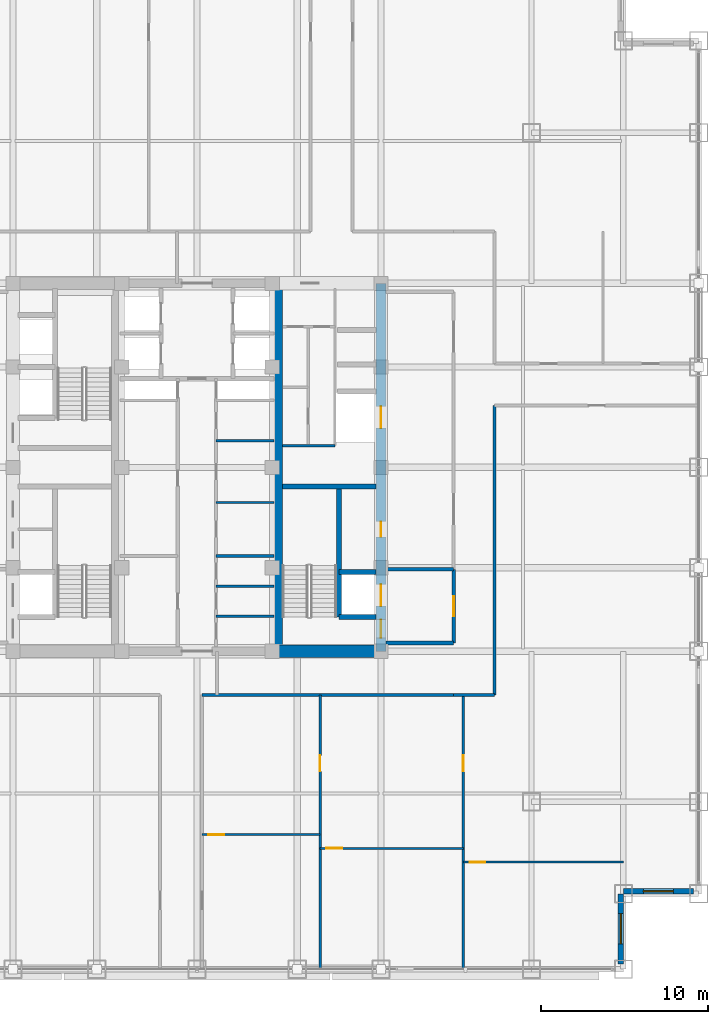
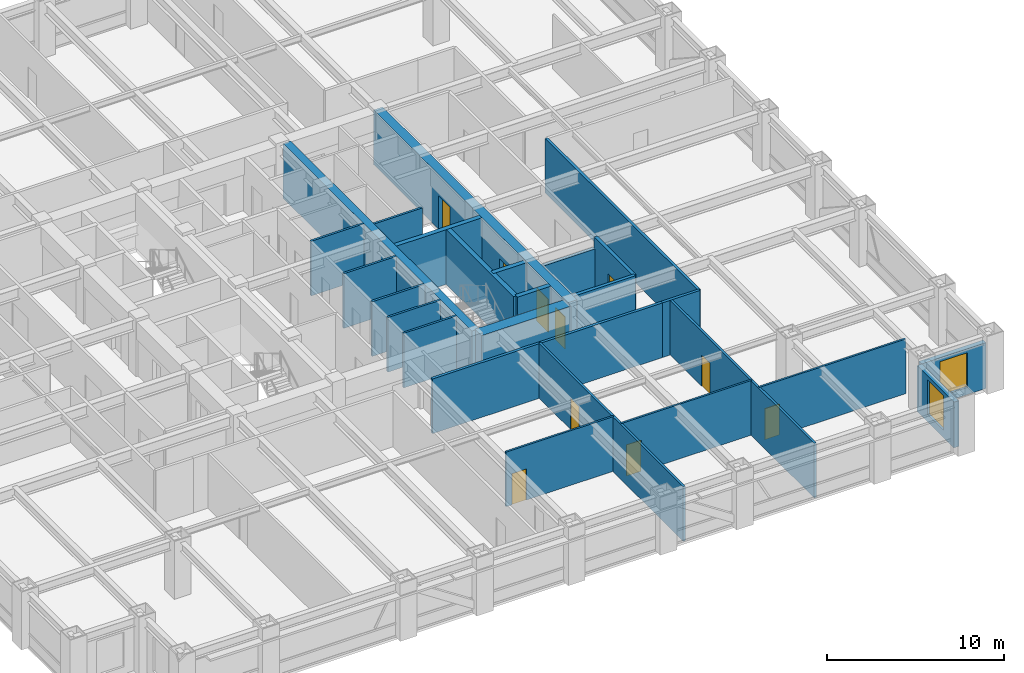
# One storey, part 21 of 28: 26 walls, 10 doors, 2 windows, 12 openings.
"""IFC4 building model written with IfcOpenShell, lengths in metres."""

from ifc_helpers import new_model, si_unit, direction, frame, frame_2d, origin, place, context, subcontext, project, spatial, rectangle, extrude, source, transform, mapped, material, layer, layer_set, type_object, element, fill, save


model = new_model("IFC4")

# Units and contexts
model_context = context("Model", 3, precision=1e-05, world=origin(), true_north=direction((0.0, 1.0)))
body_context = subcontext(model_context, "Body", "Model", "MODEL_VIEW")
ifc_project = project(units=[si_unit("LENGTHUNIT", "METRE"), si_unit("AREAUNIT", "SQUARE_METRE"), si_unit("VOLUMEUNIT", "CUBIC_METRE"), si_unit("PLANEANGLEUNIT", "RADIAN"), si_unit("MASSUNIT", "GRAM", prefix="KILO")], contexts=[model_context])

# Site, building, storey
site_placement = place(None, origin())
site = spatial("IfcSite", under=ifc_project, at=site_placement, CompositionType="ELEMENT")
building_placement = place(site_placement, origin())
building = spatial("IfcBuilding", under=site, at=building_placement, Name="Khorayat Bourse Tower", CompositionType="ELEMENT")
storey_placement = place(building_placement, frame((0.0, 0.0, 187.10009765625)))
storey = spatial("IfcBuildingStorey", under=building, at=storey_placement, Name="L43", CompositionType="ELEMENT", Elevation=187.10009765625)

# Wall, openings, doors
ifc_material_1 = material(Name="Concrete C60/75", Category="concrete")
ifc_layer_1 = layer(ifc_material_1, 0.60009765625)
ifc_layer_set_1 = layer_set([ifc_layer_1], Name="Concrete C60/75")
wall_type_1 = type_object("IfcWallType", Name="WAL-CORE-600", PredefinedType="SHEAR", material=ifc_layer_set_1)
shared_shape_1 = source(origin(), body_context, "Body", "SweptSolid", [
    extrude(rectangle(XDim=22.0, YDim=0.60009765625, at=frame_2d((11.0, 0.0))), origin(), (0.0, 0.0, 1.0), 3.77978515625),
])
wall_1_placement = place(storey_placement, frame((11.0, -11.0, 0.0), z_axis=(0.0, 0.0, 1.0), x_axis=(0.0, 1.0, 0.0)))
wall_1 = element("IfcWall", 1, at=wall_1_placement, inside=storey, type_object=wall_type_1, Name="L43 Core Shear Wall CORE-E", PredefinedType="SHEAR", context=body_context, shape_type="MappedRepresentation", body=[
    mapped(shared_shape_1, transform((0.0, 0.0, 0.0), scale=1.0)),
])
shared_shape_2 = source(origin(), body_context, "Body", "SweptSolid", [
    extrude(rectangle(XDim=1.10009765625, YDim=2.199951171875, at=frame_2d((0.550048828125, 1.10009765625))), frame((0.0, 0.31005859375, 0.0), z_axis=(0.0, -1.0, 0.0), x_axis=(1.0, 0.0, 0.0)), (0.0, 0.0, 1.0), 0.6201171875),
])
opening_1_placement = place(wall_1_placement, frame((0.800048828125, 0.0, 0.0)))
opening_1 = element("IfcOpeningElement", 2, at=opening_1_placement, cuts=wall_1, Name="Opening DI-01", PredefinedType="OPENING", context=body_context, shape_type="MappedRepresentation", body=[
    mapped(shared_shape_2, transform((0.0, 0.0, 0.0), scale=1.0)),
])
shared_shape_3 = source(origin(), body_context, "Body", "SweptSolid", [
    extrude(rectangle(XDim=0.89990234375, YDim=2.14990234375, at=frame_2d((0.449951171875, 1.074951171875))), frame((0.0, 0.31005859375, 0.0), z_axis=(0.0, -1.0, 0.0), x_axis=(1.0, 0.0, 0.0)), (0.0, 0.0, 1.0), 0.6201171875),
])
opening_2_placement = place(wall_1_placement, frame((6.85009765625, 0.0, 0.0)))
opening_2 = element("IfcOpeningElement", 3, at=opening_2_placement, cuts=wall_1, Name="Opening DI-06", PredefinedType="OPENING", context=body_context, shape_type="MappedRepresentation", body=[
    mapped(shared_shape_3, transform((0.0, 0.0, 0.0), scale=1.0)),
])
shared_shape_4 = source(origin(), body_context, "Body", "SweptSolid", [
    extrude(rectangle(XDim=1.300048828125, YDim=2.300048828125, at=frame_2d((0.64990234375, 1.14990234375))), frame((0.0, 0.31005859375, 0.0), z_axis=(0.0, -1.0, 0.0), x_axis=(1.0, 0.0, 0.0)), (0.0, 0.0, 1.0), 0.6201171875),
])
opening_3_placement = place(wall_1_placement, frame((2.699951171875, 0.0, 0.0)))
opening_3 = element("IfcOpeningElement", 4, at=opening_3_placement, cuts=wall_1, Name="Opening LD-02", PredefinedType="OPENING", context=body_context, shape_type="MappedRepresentation", body=[
    mapped(shared_shape_4, transform((0.0, 0.0, 0.0), scale=1.0)),
])
opening_4_placement = place(wall_1_placement, frame((13.35009765625, 0.0, 0.0)))
opening_4 = element("IfcOpeningElement", 5, at=opening_4_placement, cuts=wall_1, Name="Opening LD-02", PredefinedType="OPENING", context=body_context, shape_type="MappedRepresentation", body=[
    mapped(shared_shape_4, transform((0.0, 0.0, 0.0), scale=1.0)),
])
ifc_material_2 = material(Name="Fire-rated steel acoustic leaf", Category="steel")
door_type_1 = type_object("IfcDoorType", Name="DR-INT-STAIR-1100", OperationType="NOTDEFINED", PredefinedType="DOOR", material=ifc_material_2)
shared_shape_5 = source(origin(), body_context, "Body", "SweptSolid", [
    extrude(rectangle(XDim=1.10009765625, YDim=2.199951171875, at=frame_2d((0.550048828125, 1.10009765625))), frame((0.0, 0.02490234375, 0.0), z_axis=(0.0, -1.0, 0.0), x_axis=(1.0, 0.0, 0.0)), (0.0, 0.0, 1.0), 0.050048828125),
])
door_1_placement = place(opening_1_placement, origin())
door_1 = element("IfcDoor", 6, at=door_1_placement, inside=storey, type_object=door_type_1, Name="L43 Exit Stair 3 Door", OperationType="SINGLE_SWING_LEFT", OverallHeight=2.199951171875, OverallWidth=1.10009765625, PredefinedType="DOOR", context=body_context, shape_type="MappedRepresentation", body=[
    mapped(shared_shape_5, transform((0.0, 0.0, 0.0), scale=1.0)),
])
fill(opening_1, door_1)
ifc_material_3 = material(Name="Moisture-resistant laminate washroom door")
door_type_2 = type_object("IfcDoorType", Name="DR-INT-WC-900", OperationType="NOTDEFINED", PredefinedType="DOOR", material=ifc_material_3)
shared_shape_6 = source(origin(), body_context, "Body", "SweptSolid", [
    extrude(rectangle(XDim=0.89990234375, YDim=2.14990234375, at=frame_2d((0.449951171875, 1.074951171875))), frame((0.0, 0.02490234375, 0.0), z_axis=(0.0, -1.0, 0.0), x_axis=(1.0, 0.0, 0.0)), (0.0, 0.0, 1.0), 0.050048828125),
])
door_2_placement = place(opening_2_placement, origin())
door_2 = element("IfcDoor", 7, at=door_2_placement, inside=storey, type_object=door_type_2, Name="L43 Telecom Server Plant Room Door", OperationType="SINGLE_SWING_LEFT", OverallHeight=2.14990234375, OverallWidth=0.89990234375, PredefinedType="DOOR", context=body_context, shape_type="MappedRepresentation", body=[
    mapped(shared_shape_6, transform((0.0, 0.0, 0.0), scale=1.0)),
])
fill(opening_2, door_2)
ifc_material_4 = material(Name="Fire-rated stainless-steel sliding landing door", Category="steel")
door_type_3 = type_object("IfcDoorType", Name="DR-LIFT-FF-1300", OperationType="NOTDEFINED", PredefinedType="DOOR", material=ifc_material_4)
shared_shape_7 = source(origin(), body_context, "Body", "SweptSolid", [
    extrude(rectangle(XDim=1.300048828125, YDim=2.300048828125, at=frame_2d((0.64990234375, 1.14990234375))), frame((0.0, 0.02490234375, 0.0), z_axis=(0.0, -1.0, 0.0), x_axis=(1.0, 0.0, 0.0)), (0.0, 0.0, 1.0), 0.050048828125),
])
door_3_placement = place(opening_3_placement, origin())
door_3 = element("IfcDoor", 8, at=door_3_placement, inside=storey, type_object=door_type_3, Name="L43 Lift FFL-02 Sliding Landing Door", OperationType="SLIDING_TO_LEFT", OverallHeight=2.300048828125, OverallWidth=1.300048828125, PredefinedType="DOOR", context=body_context, shape_type="MappedRepresentation", body=[
    mapped(shared_shape_7, transform((0.0, 0.0, 0.0), scale=1.0)),
])
fill(opening_3, door_3)
door_4_placement = place(opening_4_placement, origin())
door_4 = element("IfcDoor", 9, at=door_4_placement, inside=storey, type_object=door_type_3, Name="L43 Lift SVL-01 Sliding Landing Door", OperationType="SLIDING_TO_LEFT", OverallHeight=2.300048828125, OverallWidth=1.300048828125, PredefinedType="DOOR", context=body_context, shape_type="MappedRepresentation", body=[
    mapped(shared_shape_7, transform((0.0, 0.0, 0.0), scale=1.0)),
])
fill(opening_4, door_4)

# Walls
ifc_material_5 = material(Name="Concrete C52/65", Category="concrete")
ifc_layer_2 = layer(ifc_material_5, 0.5)
ifc_layer_set_2 = layer_set([ifc_layer_2], Name="Concrete C52/65")
wall_type_2 = type_object("IfcWallType", Name="WAL-CORE-500", PredefinedType="SHEAR", material=ifc_layer_set_2)
shared_shape_8 = source(origin(), body_context, "Body", "SweptSolid", [
    extrude(rectangle(XDim=21.39990234375, YDim=0.5, at=frame_2d((10.699951171875, 0.0))), origin(), (0.0, 0.0, 1.0), 3.77978515625),
])
wall_2_placement = place(storey_placement, frame((4.85009765625, -10.699951171875, 0.0), z_axis=(0.0, 0.0, 1.0), x_axis=(0.0, 1.0, 0.0)))
element("IfcWall", 10, at=wall_2_placement, inside=storey, type_object=wall_type_2, Name="L43 Core Shear Wall PIER-E", PredefinedType="SHEAR", context=body_context, shape_type="MappedRepresentation", body=[
    mapped(shared_shape_8, transform((0.0, 0.0, 0.0), scale=1.0)),
])
ifc_material_6 = material(Name="Concrete C72/90", Category="concrete")
ifc_layer_3 = layer(ifc_material_6, 0.75)
ifc_layer_set_3 = layer_set([ifc_layer_3], Name="Concrete C72/90")
wall_type_3 = type_object("IfcWallType", Name="WAL-CORE-750", PredefinedType="SHEAR", material=ifc_layer_set_3)
shared_shape_9 = source(origin(), body_context, "Body", "SweptSolid", [
    extrude(rectangle(XDim=5.849853515625, YDim=0.75, at=frame_2d((2.9248046875, 0.0))), origin(), (0.0, 0.0, 1.0), 3.77978515625),
])
wall_3_placement = place(storey_placement, frame((4.85009765625, -11.0, 0.0), z_axis=(0.0, 0.0, 1.0), x_axis=(1.0, 0.0, 0.0)))
element("IfcWall", 11, at=wall_3_placement, inside=storey, type_object=wall_type_3, Name="L43 Core Shear Wall PIER-ES", PredefinedType="SHEAR", context=body_context, shape_type="MappedRepresentation", body=[
    mapped(shared_shape_9, transform((0.0, 0.0, 0.0), scale=1.0)),
])
ifc_material_7 = material(Name="Concrete C50/60", Category="concrete")
ifc_layer_4 = layer(ifc_material_7, 0.300048828125)
ifc_layer_set_4 = layer_set([ifc_layer_4], Name="Concrete C50/60")
wall_type_4 = type_object("IfcWallType", Name="WAL-SHAFT-300", PredefinedType="SHEAR", material=ifc_layer_set_4)
shared_shape_10 = source(origin(), body_context, "Body", "SweptSolid", [
    extrude(rectangle(XDim=5.599853515625, YDim=0.300048828125, at=frame_2d((2.7998046875, 0.0))), origin(), (0.0, 0.0, 1.0), 3.77978515625),
])
wall_4_placement = place(storey_placement, frame((5.10009765625, -1.14990234375, 0.0), z_axis=(0.0, 0.0, 1.0), x_axis=(1.0, 0.0, 0.0)))
element("IfcWall", 12, at=wall_4_placement, inside=storey, type_object=wall_type_4, Name="L43 Core Shear Wall ST3-DIV", PredefinedType="SHEAR", context=body_context, shape_type="MappedRepresentation", body=[
    mapped(shared_shape_10, transform((0.0, 0.0, 0.0), scale=1.0)),
])

# Wall, opening, window
ifc_material_8 = material(Name="Precast concrete C45/55", Category="concrete")
ifc_layer_5 = layer(ifc_material_8, 0.320068359375)
ifc_layer_set_5 = layer_set([ifc_layer_5], Name="Precast concrete C45/55")
wall_type_5 = type_object("IfcWallType", Name="WAL-EXT-STONE-320", PredefinedType="STANDARD", material=ifc_layer_set_5)
shared_shape_11 = source(origin(), body_context, "Body", "SweptSolid", [
    extrude(rectangle(XDim=4.179931640625, YDim=0.320068359375, at=frame_2d((2.08984375, 0.0))), origin(), (0.0, 0.0, 1.0), 3.163818359375),
])
wall_5_placement = place(storey_placement, frame((25.340087890625, -29.679931640625, 0.0), z_axis=(0.0, 0.0, 1.0), x_axis=(0.0, 1.0, 0.0)))
wall_5 = element("IfcWall", 13, at=wall_5_placement, inside=storey, type_object=wall_type_5, Name="L43 Re-Entrant Notch Limestone Wall SE-V", PredefinedType="STANDARD", context=body_context, shape_type="MappedRepresentation", body=[
    mapped(shared_shape_11, transform((0.0, 0.0, 0.0), scale=1.0)),
])
shared_shape_12 = source(origin(), body_context, "Body", "SweptSolid", [
    extrude(rectangle(XDim=1.800048828125, YDim=2.39990234375, at=frame_2d((0.89990234375, 1.199951171875))), frame((0.0, 0.169921875, 0.0), z_axis=(0.0, -1.0, 0.0), x_axis=(1.0, 0.0, 0.0)), (0.0, 0.0, 1.0), 0.340087890625),
])
opening_5_placement = place(wall_5_placement, frame((1.18994140625, 0.0, 0.5)))
opening_5 = element("IfcOpeningElement", 14, at=opening_5_placement, cuts=wall_5, Name="Opening WN-04", PredefinedType="OPENING", context=body_context, shape_type="MappedRepresentation", body=[
    mapped(shared_shape_12, transform((0.0, 0.0, 0.0), scale=1.0)),
])
ifc_material_9 = material(Name="Low-E acoustic laminated double glazing", Category="glass")
window_type = type_object("IfcWindowType", Name="WIN-NOTCH-1800x2400", PartitioningType="SINGLE_PANEL", PredefinedType="WINDOW", material=ifc_material_9)
shared_shape_13 = source(origin(), body_context, "Body", "SweptSolid", [
    extrude(rectangle(XDim=1.800048828125, YDim=2.39990234375, at=frame_2d((0.89990234375, 1.199951171875))), frame((0.0, 0.030029296875, 0.0), z_axis=(0.0, -1.0, 0.0), x_axis=(1.0, 0.0, 0.0)), (0.0, 0.0, 1.0), 0.06005859375),
])
window_1_placement = place(opening_5_placement, origin())
window_1 = element("IfcWindow", 15, at=window_1_placement, inside=storey, type_object=window_type, Name="L43 Facade Window 1", OverallHeight=2.39990234375, OverallWidth=1.800048828125, PartitioningType="SINGLE_PANEL", PredefinedType="WINDOW", context=body_context, shape_type="MappedRepresentation", body=[
    mapped(shared_shape_13, transform((0.0, 0.0, 0.0), scale=1.0)),
])
fill(opening_5, window_1)

wall_6_placement = place(storey_placement, frame((25.5, -25.340087890625, 0.0), z_axis=(0.0, 0.0, 1.0), x_axis=(1.0, 0.0, 0.0)))
wall_6 = element("IfcWall", 16, at=wall_6_placement, inside=storey, type_object=wall_type_5, Name="L43 Re-Entrant Notch Limestone Wall SE-H", PredefinedType="STANDARD", context=body_context, shape_type="MappedRepresentation", body=[
    mapped(shared_shape_11, transform((0.0, 0.0, 0.0), scale=1.0)),
])
opening_6_placement = place(wall_6_placement, frame((1.18994140625, 0.0, 0.5)))
opening_6 = element("IfcOpeningElement", 17, at=opening_6_placement, cuts=wall_6, Name="Opening WN-04", PredefinedType="OPENING", context=body_context, shape_type="MappedRepresentation", body=[
    mapped(shared_shape_12, transform((0.0, 0.0, 0.0), scale=1.0)),
])
window_2_placement = place(opening_6_placement, origin())
window_2 = element("IfcWindow", 18, at=window_2_placement, inside=storey, type_object=window_type, Name="L43 Facade Window 1", OverallHeight=2.39990234375, OverallWidth=1.800048828125, PartitioningType="SINGLE_PANEL", PredefinedType="WINDOW", context=body_context, shape_type="MappedRepresentation", body=[
    mapped(shared_shape_13, transform((0.0, 0.0, 0.0), scale=1.0)),
])
fill(opening_6, window_2)

# Walls
shared_shape_14 = source(origin(), body_context, "Body", "SweptSolid", [
    extrude(rectangle(XDim=7.800048828125, YDim=0.300048828125, at=frame_2d((3.89990234375, 0.0))), origin(), (0.0, 0.0, 1.0), 3.77978515625),
])
wall_7_placement = place(storey_placement, frame((8.5, -8.949951171875, 0.0), z_axis=(0.0, 0.0, 1.0), x_axis=(0.0, 1.0, 0.0)))
element("IfcWall", 19, at=wall_7_placement, inside=storey, type_object=wall_type_4, Name="L43 Partition WAL-L43-EPIER-SP", PredefinedType="SHEAR", context=body_context, shape_type="MappedRepresentation", body=[
    mapped(shared_shape_14, transform((0.0, 0.0, 0.0), scale=1.0)),
])
shared_shape_15 = source(origin(), body_context, "Body", "SweptSolid", [
    extrude(rectangle(XDim=2.199951171875, YDim=0.300048828125, at=frame_2d((1.10009765625, 0.0))), origin(), (0.0, 0.0, 1.0), 3.77978515625),
])
for number, where, z_axis, x_axis, name in (
    (20, (8.5, -8.949951171875, 0.0), (0.0, 0.0, 1.0), (1.0, 0.0, 0.0), "L43 Partition WAL-L43-EPIER-FF2S"),
    (21, (8.5, -6.25, 0.0), (0.0, 0.0, 1.0), (1.0, 0.0, 0.0), "L43 Partition WAL-L43-EPIER-FF2N"),
):
    element("IfcWall", number, at=place(storey_placement, frame(where, z_axis=z_axis, x_axis=x_axis)), inside=storey, type_object=wall_type_4, Name=name, PredefinedType="SHEAR", context=body_context, shape_type="MappedRepresentation", body=[
        mapped(shared_shape_15, transform((0.0, 0.0, 0.0), scale=1.0)),
    ])
ifc_material_10 = material(Name="Moisture-resistant masonry partition", Category="masonry")
ifc_layer_6 = layer(ifc_material_10, 0.139892578125)
ifc_layer_set_6 = layer_set([ifc_layer_6], Name="Moisture-resistant masonry partition")
wall_type_6 = type_object("IfcWallType", Name="WAL-PART-WET-140", PredefinedType="PARTITIONING", material=ifc_layer_set_6)
shared_shape_16 = source(origin(), body_context, "Body", "SweptSolid", [
    extrude(rectangle(XDim=3.14990234375, YDim=0.139892578125, at=frame_2d((1.574951171875, 0.0))), origin(), (0.0, 0.0, 1.0), 3.77978515625),
])
wall_8_placement = place(storey_placement, frame((5.10009765625, 1.300048828125, 0.0), z_axis=(0.0, 0.0, 1.0), x_axis=(1.0, 0.0, 0.0)))
element("IfcWall", 22, at=wall_8_placement, inside=storey, type_object=wall_type_6, Name="L43 Partition WAL-L43-ECORE-S", PredefinedType="PARTITIONING", context=body_context, shape_type="MappedRepresentation", body=[
    mapped(shared_shape_16, transform((0.0, 0.0, 0.0), scale=1.0)),
])
ifc_material_11 = material(Name="Aerated concrete blockwork", Category="masonry")
ifc_layer_7 = layer(ifc_material_11, 0.219970703125)
ifc_layer_set_7 = layer_set([ifc_layer_7], Name="Aerated concrete blockwork")
wall_type_7 = type_object("IfcWallType", Name="WAL-PART-FF-220", PredefinedType="PARTITIONING", material=ifc_layer_set_7)
shared_shape_17 = source(origin(), body_context, "Body", "SweptSolid", [
    extrude(rectangle(XDim=4.050048828125, YDim=0.219970703125, at=frame_2d((2.02490234375, 0.0))), origin(), (0.0, 0.0, 1.0), 3.77978515625),
])
wall_9_placement = place(storey_placement, frame((11.300048828125, -10.5, 0.0), z_axis=(0.0, 0.0, 1.0), x_axis=(1.0, 0.0, 0.0)))
element("IfcWall", 23, at=wall_9_placement, inside=storey, type_object=wall_type_7, Name="L43 Partition WAL-L43-FFLE-S", PredefinedType="PARTITIONING", context=body_context, shape_type="MappedRepresentation", body=[
    mapped(shared_shape_17, transform((0.0, 0.0, 0.0), scale=1.0)),
])
shared_shape_18 = source(origin(), body_context, "Body", "SweptSolid", [
    extrude(rectangle(XDim=4.050048828125, YDim=0.219970703125, at=frame_2d((2.02490234375, 0.0))), origin(), (0.0, 0.0, 1.0), 3.0068359375),
])
wall_10_placement = place(storey_placement, frame((11.300048828125, -6.10009765625, 0.0), z_axis=(0.0, 0.0, 1.0), x_axis=(1.0, 0.0, 0.0)))
element("IfcWall", 24, at=wall_10_placement, inside=storey, type_object=wall_type_7, Name="L43 Partition WAL-L43-FFLE-N", PredefinedType="PARTITIONING", context=body_context, shape_type="MappedRepresentation", body=[
    mapped(shared_shape_18, transform((0.0, 0.0, 0.0), scale=1.0)),
])

# Wall, opening, door
shared_shape_19 = source(origin(), body_context, "Body", "SweptSolid", [
    extrude(rectangle(XDim=4.39990234375, YDim=0.219970703125, at=frame_2d((2.199951171875, 0.0))), origin(), (0.0, 0.0, 1.0), 3.77978515625),
])
wall_11_placement = place(storey_placement, frame((15.35009765625, -10.5, 0.0), z_axis=(0.0, 0.0, 1.0), x_axis=(0.0, 1.0, 0.0)))
wall_11 = element("IfcWall", 25, at=wall_11_placement, inside=storey, type_object=wall_type_7, Name="L43 Partition WAL-L43-FFLE-E", PredefinedType="PARTITIONING", context=body_context, shape_type="MappedRepresentation", body=[
    mapped(shared_shape_19, transform((0.0, 0.0, 0.0), scale=1.0)),
])
shared_shape_20 = source(origin(), body_context, "Body", "SweptSolid", [
    extrude(rectangle(XDim=1.199951171875, YDim=2.199951171875, at=frame_2d((0.60009765625, 1.10009765625))), frame((0.0, 0.119873046875, 0.0), z_axis=(0.0, -1.0, 0.0), x_axis=(1.0, 0.0, 0.0)), (0.0, 0.0, 1.0), 0.239990234375),
])
opening_7_placement = place(wall_11_placement, frame((1.60009765625, 0.0, 0.0)))
opening_7 = element("IfcOpeningElement", 26, at=opening_7_placement, cuts=wall_11, Name="Opening DI-02", PredefinedType="OPENING", context=body_context, shape_type="MappedRepresentation", body=[
    mapped(shared_shape_20, transform((0.0, 0.0, 0.0), scale=1.0)),
])
ifc_material_12 = material(Name="Fire-rated steel double-seal leaf", Category="steel")
door_type_4 = type_object("IfcDoorType", Name="DR-INT-FFLOBBY-1200", OperationType="NOTDEFINED", PredefinedType="DOOR", material=ifc_material_12)
shared_shape_21 = source(origin(), body_context, "Body", "SweptSolid", [
    extrude(rectangle(XDim=1.199951171875, YDim=2.199951171875, at=frame_2d((0.60009765625, 1.10009765625))), frame((0.0, 0.02490234375, 0.0), z_axis=(0.0, -1.0, 0.0), x_axis=(1.0, 0.0, 0.0)), (0.0, 0.0, 1.0), 0.050048828125),
])
door_5_placement = place(opening_7_placement, origin())
door_5 = element("IfcDoor", 27, at=door_5_placement, inside=storey, type_object=door_type_4, Name="L43 East Firefighting Lobby Door", OperationType="SINGLE_SWING_RIGHT", OverallHeight=2.199951171875, OverallWidth=1.199951171875, PredefinedType="DOOR", context=body_context, shape_type="MappedRepresentation", body=[
    mapped(shared_shape_21, transform((0.0, 0.0, 0.0), scale=1.0)),
])
fill(opening_7, door_5)

# Walls
ifc_material_13 = material(Name="Gypsum plasterboard twin-frame partition")
ifc_layer_8 = layer(ifc_material_13, 0.14990234375)
ifc_layer_set_8 = layer_set([ifc_layer_8], Name="Gypsum plasterboard twin-frame partition")
wall_type_8 = type_object("IfcWallType", Name="WAL-PART-SUITE-150", PredefinedType="PARTITIONING", material=ifc_layer_set_8)
shared_shape_22 = source(origin(), body_context, "Body", "SweptSolid", [
    extrude(rectangle(XDim=3.4501953125, YDim=0.14990234375, at=frame_2d((1.72509765625, 0.0))), origin(), (0.0, 0.0, 1.0), 3.77978515625),
])
wall_12_placement = place(storey_placement, frame((1.14990234375, -5.300048828125, 0.0), z_axis=(0.0, 0.0, 1.0), x_axis=(1.0, 0.0, 0.0)))
element("IfcWall", 28, at=wall_12_placement, inside=storey, type_object=wall_type_8, Name="L43 Partition WAL-L43-FB1-NE", PredefinedType="PARTITIONING", context=body_context, shape_type="MappedRepresentation", body=[
    mapped(shared_shape_22, transform((0.0, 0.0, 0.0), scale=1.0)),
])
shared_shape_23 = source(origin(), body_context, "Body", "SweptSolid", [
    extrude(rectangle(XDim=3.4501953125, YDim=0.139892578125, at=frame_2d((1.72509765625, 0.0))), origin(), (0.0, 0.0, 1.0), 3.77978515625),
])
for number, where, z_axis, x_axis, name in (
    (29, (1.14990234375, -8.89990234375, 0.0), (0.0, 0.0, 1.0), (1.0, 0.0, 0.0), "L43 Partition WAL-L43-FB1E-D1"),
    (30, (1.14990234375, -7.10009765625, 0.0), (0.0, 0.0, 1.0), (1.0, 0.0, 0.0), "L43 Partition WAL-L43-FB1E-D2"),
    (31, (1.14990234375, -2.10009765625, 0.0), (0.0, 0.0, 1.0), (1.0, 0.0, 0.0), "L43 Partition WAL-L43-CME-D1"),
    (32, (1.14990234375, 1.60009765625, 0.0), (0.0, 0.0, 1.0), (1.0, 0.0, 0.0), "L43 Partition WAL-L43-CME-D2"),
):
    element("IfcWall", number, at=place(storey_placement, frame(where, z_axis=z_axis, x_axis=x_axis)), inside=storey, type_object=wall_type_6, Name=name, PredefinedType="PARTITIONING", context=body_context, shape_type="MappedRepresentation", body=[
        mapped(shared_shape_23, transform((0.0, 0.0, 0.0), scale=1.0)),
    ])
ifc_material_14 = material(Name="Gypsum plasterboard acoustic stud wall")
ifc_layer_9 = layer(ifc_material_14, 0.179931640625)
ifc_layer_set_9 = layer_set([ifc_layer_9], Name="Gypsum plasterboard acoustic stud wall")
wall_type_9 = type_object("IfcWallType", Name="WAL-PART-CORR-180", PredefinedType="PARTITIONING", material=ifc_layer_set_9)
shared_shape_24 = source(origin(), body_context, "Body", "SweptSolid", [
    extrude(rectangle(XDim=2.449951171875, YDim=0.179931640625, at=frame_2d((1.22509765625, 0.0))), origin(), (0.0, 0.0, 1.0), 3.77978515625),
])
wall_13_placement = place(storey_placement, frame((15.35009765625, -13.60009765625, 0.0), z_axis=(0.0, 0.0, 1.0), x_axis=(1.0, 0.0, 0.0)))
element("IfcWall", 33, at=wall_13_placement, inside=storey, type_object=wall_type_9, Name="L43 Partition WAL-L43-C2-ES", PredefinedType="PARTITIONING", context=body_context, shape_type="MappedRepresentation", body=[
    mapped(shared_shape_24, transform((0.0, 0.0, 0.0), scale=1.0)),
])

# Wall, opening, door
shared_shape_25 = source(origin(), body_context, "Body", "SweptSolid", [
    extrude(rectangle(XDim=16.39990234375, YDim=0.14990234375, at=frame_2d((8.199951171875, 0.0))), origin(), (0.0, 0.0, 1.0), 3.77978515625),
])
wall_14_placement = place(storey_placement, frame((7.35595703125, -30.0, 0.0), z_axis=(0.0, 0.0, 1.0), x_axis=(0.0, 1.0, 0.0)))
wall_14 = element("IfcWall", 34, at=wall_14_placement, inside=storey, type_object=wall_type_8, Name="L43 Partition WAL-L43-QSEDV-1", PredefinedType="PARTITIONING", context=body_context, shape_type="MappedRepresentation", body=[
    mapped(shared_shape_25, transform((0.0, 0.0, 0.0), scale=1.0)),
])
shared_shape_26 = source(origin(), body_context, "Body", "SweptSolid", [
    extrude(rectangle(XDim=0.949951171875, YDim=2.14990234375, at=frame_2d((0.47509765625, 1.074951171875))), frame((0.0, 0.0849609375, 0.0), z_axis=(0.0, -1.0, 0.0), x_axis=(1.0, 0.0, 0.0)), (0.0, 0.0, 1.0), 0.169921875),
])
opening_8_placement = place(wall_14_placement, frame((11.824951171875, 0.0, 0.0)))
opening_8 = element("IfcOpeningElement", 35, at=opening_8_placement, cuts=wall_14, Name="Opening DI-05", PredefinedType="OPENING", context=body_context, shape_type="MappedRepresentation", body=[
    mapped(shared_shape_26, transform((0.0, 0.0, 0.0), scale=1.0)),
])
ifc_material_15 = material(Name="Acoustic oak veneer office door")
door_type_5 = type_object("IfcDoorType", Name="DR-INT-OFFICE-950", OperationType="NOTDEFINED", PredefinedType="DOOR", material=ifc_material_15)
shared_shape_27 = source(origin(), body_context, "Body", "SweptSolid", [
    extrude(rectangle(XDim=0.949951171875, YDim=2.14990234375, at=frame_2d((0.47509765625, 1.074951171875))), frame((0.0, 0.02490234375, 0.0), z_axis=(0.0, -1.0, 0.0), x_axis=(1.0, 0.0, 0.0)), (0.0, 0.0, 1.0), 0.050048828125),
])
door_6_placement = place(opening_8_placement, origin())
door_6 = element("IfcDoor", 36, at=door_6_placement, inside=storey, type_object=door_type_5, Name="L43 South-East Suite Link 1", OperationType="SINGLE_SWING_RIGHT", OverallHeight=2.14990234375, OverallWidth=0.949951171875, PredefinedType="DOOR", context=body_context, shape_type="MappedRepresentation", body=[
    mapped(shared_shape_27, transform((0.0, 0.0, 0.0), scale=1.0)),
])
fill(opening_8, door_6)

wall_15_placement = place(storey_placement, frame((15.924072265625, -30.0, 0.0), z_axis=(0.0, 0.0, 1.0), x_axis=(0.0, 1.0, 0.0)))
wall_15 = element("IfcWall", 37, at=wall_15_placement, inside=storey, type_object=wall_type_8, Name="L43 Partition WAL-L43-QSEDV-2", PredefinedType="PARTITIONING", context=body_context, shape_type="MappedRepresentation", body=[
    mapped(shared_shape_25, transform((0.0, 0.0, 0.0), scale=1.0)),
])
opening_9_placement = place(wall_15_placement, frame((11.824951171875, 0.0, 0.0)))
opening_9 = element("IfcOpeningElement", 38, at=opening_9_placement, cuts=wall_15, Name="Opening DI-05", PredefinedType="OPENING", context=body_context, shape_type="MappedRepresentation", body=[
    mapped(shared_shape_26, transform((0.0, 0.0, 0.0), scale=1.0)),
])
door_7_placement = place(opening_9_placement, origin())
door_7 = element("IfcDoor", 39, at=door_7_placement, inside=storey, type_object=door_type_5, Name="L43 South-East Suite Link 2", OperationType="SINGLE_SWING_LEFT", OverallHeight=2.14990234375, OverallWidth=0.949951171875, PredefinedType="DOOR", context=body_context, shape_type="MappedRepresentation", body=[
    mapped(shared_shape_27, transform((0.0, 0.0, 0.0), scale=1.0)),
])
fill(opening_9, door_7)

ifc_material_16 = material(Name="Gypsum plasterboard partition")
ifc_layer_10 = layer(ifc_material_16, 0.125)
ifc_layer_set_10 = layer_set([ifc_layer_10], Name="Gypsum plasterboard partition")
wall_type_10 = type_object("IfcWallType", Name="WAL-PART-ROOM-125", PredefinedType="PARTITIONING", material=ifc_layer_set_10)
shared_shape_28 = source(origin(), body_context, "Body", "SweptSolid", [
    extrude(rectangle(XDim=7.055908203125, YDim=0.125, at=frame_2d((3.52783203125, 0.0))), origin(), (0.0, 0.0, 1.0), 3.77978515625),
])
wall_16_placement = place(storey_placement, frame((0.300048828125, -21.964111328125, 0.0), z_axis=(0.0, 0.0, 1.0), x_axis=(1.0, 0.0, 0.0)))
wall_16 = element("IfcWall", 40, at=wall_16_placement, inside=storey, type_object=wall_type_10, Name="L43 Partition WAL-L43-QSEDP-1", PredefinedType="PARTITIONING", context=body_context, shape_type="MappedRepresentation", body=[
    mapped(shared_shape_28, transform((0.0, 0.0, 0.0), scale=1.0)),
])
shared_shape_29 = source(origin(), body_context, "Body", "SweptSolid", [
    extrude(rectangle(XDim=0.949951171875, YDim=2.14990234375, at=frame_2d((0.47509765625, 1.074951171875))), frame((0.0, 0.072509765625, 0.0), z_axis=(0.0, -1.0, 0.0), x_axis=(1.0, 0.0, 0.0)), (0.0, 0.0, 1.0), 0.14501953125),
])
opening_10_placement = place(wall_16_placement, frame((0.375, 0.0, 0.0)))
opening_10 = element("IfcOpeningElement", 41, at=opening_10_placement, cuts=wall_16, Name="Opening DI-05", PredefinedType="OPENING", context=body_context, shape_type="MappedRepresentation", body=[
    mapped(shared_shape_29, transform((0.0, 0.0, 0.0), scale=1.0)),
])
door_8_placement = place(opening_10_placement, origin())
door_8 = element("IfcDoor", 42, at=door_8_placement, inside=storey, type_object=door_type_5, Name="L43 South-East Members Club Room 1B Door", OperationType="SINGLE_SWING_RIGHT", OverallHeight=2.14990234375, OverallWidth=0.949951171875, PredefinedType="DOOR", context=body_context, shape_type="MappedRepresentation", body=[
    mapped(shared_shape_27, transform((0.0, 0.0, 0.0), scale=1.0)),
])
fill(opening_10, door_8)

shared_shape_30 = source(origin(), body_context, "Body", "SweptSolid", [
    extrude(rectangle(XDim=8.568115234375, YDim=0.125, at=frame_2d((4.2841796875, 0.0))), origin(), (0.0, 0.0, 1.0), 3.77978515625),
])
wall_17_placement = place(storey_placement, frame((7.35595703125, -22.783935546875, 0.0), z_axis=(0.0, 0.0, 1.0), x_axis=(1.0, 0.0, 0.0)))
wall_17 = element("IfcWall", 43, at=wall_17_placement, inside=storey, type_object=wall_type_10, Name="L43 Partition WAL-L43-QSEDP-2", PredefinedType="PARTITIONING", context=body_context, shape_type="MappedRepresentation", body=[
    mapped(shared_shape_30, transform((0.0, 0.0, 0.0), scale=1.0)),
])
opening_11_placement = place(wall_17_placement, frame((0.375, 0.0, 0.0)))
opening_11 = element("IfcOpeningElement", 44, at=opening_11_placement, cuts=wall_17, Name="Opening DI-05", PredefinedType="OPENING", context=body_context, shape_type="MappedRepresentation", body=[
    mapped(shared_shape_29, transform((0.0, 0.0, 0.0), scale=1.0)),
])
door_9_placement = place(opening_11_placement, origin())
door_9 = element("IfcDoor", 45, at=door_9_placement, inside=storey, type_object=door_type_5, Name="L43 South-East Members Dining Room 2B Door", OperationType="SINGLE_SWING_LEFT", OverallHeight=2.14990234375, OverallWidth=0.949951171875, PredefinedType="DOOR", context=body_context, shape_type="MappedRepresentation", body=[
    mapped(shared_shape_27, transform((0.0, 0.0, 0.0), scale=1.0)),
])
fill(opening_11, door_9)

shared_shape_31 = source(origin(), body_context, "Body", "SweptSolid", [
    extrude(rectangle(XDim=9.575927734375, YDim=0.125, at=frame_2d((4.7880859375, 0.0))), origin(), (0.0, 0.0, 1.0), 3.77978515625),
])
wall_18_placement = place(storey_placement, frame((15.924072265625, -23.60400390625, 0.0), z_axis=(0.0, 0.0, 1.0), x_axis=(1.0, 0.0, 0.0)))
wall_18 = element("IfcWall", 46, at=wall_18_placement, inside=storey, type_object=wall_type_10, Name="L43 Partition WAL-L43-QSEDP-3", PredefinedType="PARTITIONING", context=body_context, shape_type="MappedRepresentation", body=[
    mapped(shared_shape_31, transform((0.0, 0.0, 0.0), scale=1.0)),
])
opening_12_placement = place(wall_18_placement, frame((0.375, 0.0, 0.0)))
opening_12 = element("IfcOpeningElement", 47, at=opening_12_placement, cuts=wall_18, Name="Opening DI-05", PredefinedType="OPENING", context=body_context, shape_type="MappedRepresentation", body=[
    mapped(shared_shape_29, transform((0.0, 0.0, 0.0), scale=1.0)),
])
door_10_placement = place(opening_12_placement, origin())
door_10 = element("IfcDoor", 48, at=door_10_placement, inside=storey, type_object=door_type_5, Name="L43 South-East Clearing Records Archive Store 3B Door", OperationType="SINGLE_SWING_RIGHT", OverallHeight=2.14990234375, OverallWidth=0.949951171875, PredefinedType="DOOR", context=body_context, shape_type="MappedRepresentation", body=[
    mapped(shared_shape_27, transform((0.0, 0.0, 0.0), scale=1.0)),
])
fill(opening_12, door_10)

# Walls
shared_shape_32 = source(origin(), body_context, "Body", "SweptSolid", [
    extrude(rectangle(XDim=15.050048828125, YDim=0.179931640625, at=frame_2d((7.52490234375, 0.0))), origin(), (0.0, 0.0, 1.0), 3.77978515625),
])
wall_19_placement = place(storey_placement, frame((0.300048828125, -13.60009765625, 0.0), z_axis=(0.0, 0.0, 1.0), x_axis=(1.0, 0.0, 0.0)))
element("IfcWall", 49, at=wall_19_placement, inside=storey, type_object=wall_type_9, Name="L43 Partition WAL-L43-QSE-HC", PredefinedType="PARTITIONING", context=body_context, shape_type="MappedRepresentation", body=[
    mapped(shared_shape_32, transform((0.0, 0.0, 0.0), scale=1.0)),
])
shared_shape_33 = source(origin(), body_context, "Body", "SweptSolid", [
    extrude(rectangle(XDim=17.300048828125, YDim=0.179931640625, at=frame_2d((8.64990234375, 0.0))), origin(), (0.0, 0.0, 1.0), 3.77978515625),
])
wall_20_placement = place(storey_placement, frame((17.800048828125, -13.60009765625, 0.0), z_axis=(0.0, 0.0, 1.0), x_axis=(0.0, 1.0, 0.0)))
element("IfcWall", 50, at=wall_20_placement, inside=storey, type_object=wall_type_9, Name="L43 Partition WAL-L43-ES-IN", PredefinedType="PARTITIONING", context=body_context, shape_type="MappedRepresentation", body=[
    mapped(shared_shape_33, transform((0.0, 0.0, 0.0), scale=1.0)),
])

save(model, "model.ifc")
